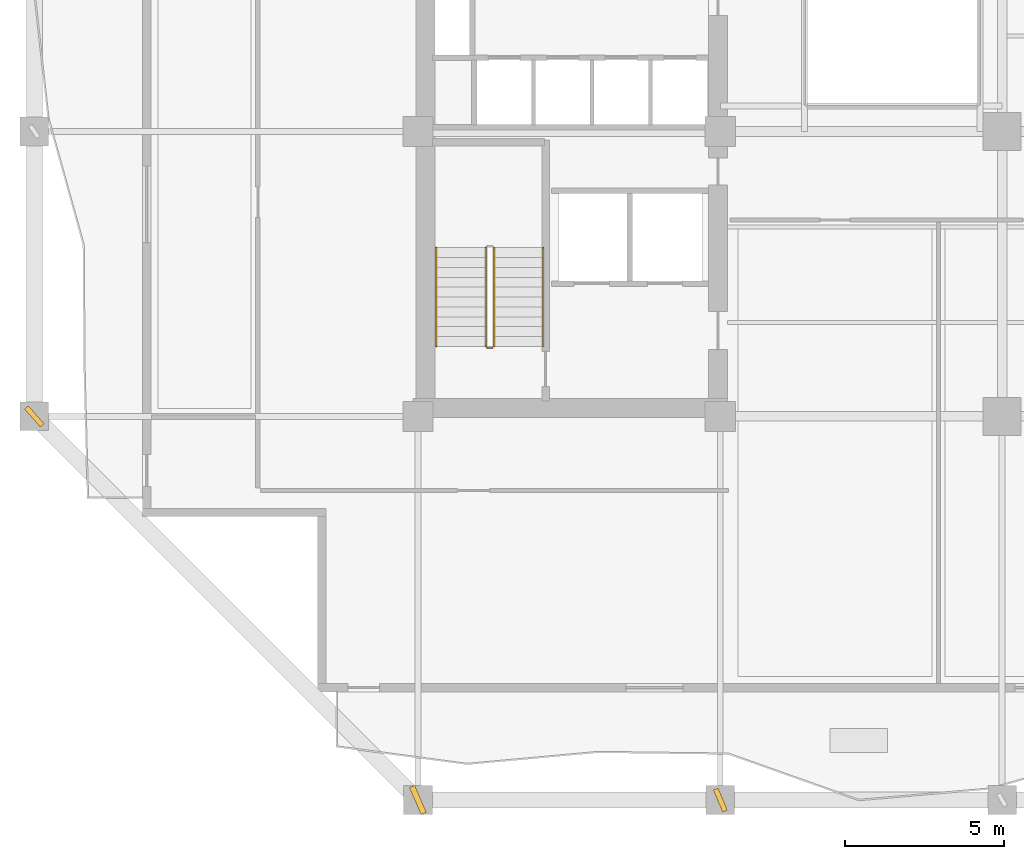
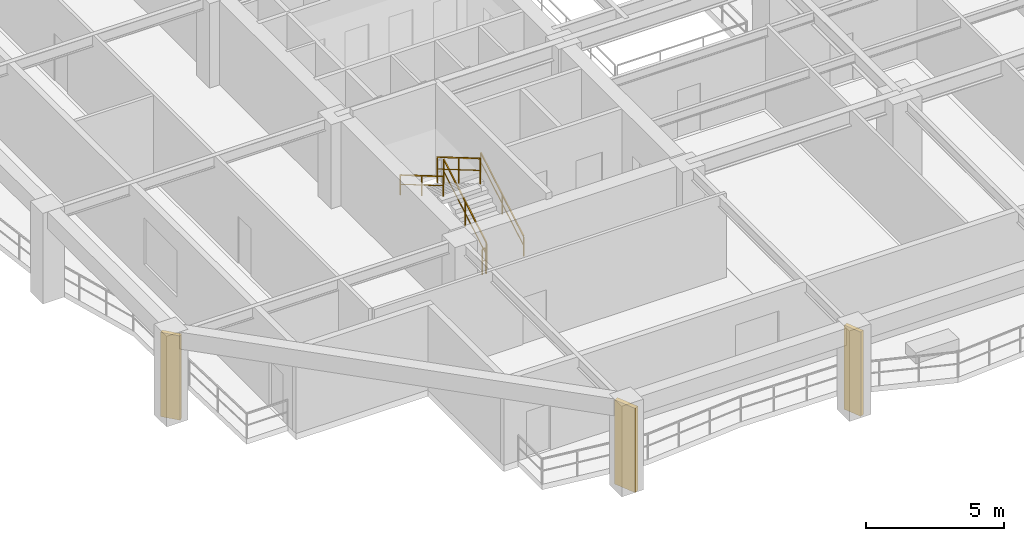
# One storey, part 6 of 12: 5 railings, 3 shading devices.
"""IFC4 building model written with IfcOpenShell, lengths in metres."""

from ifc_helpers import new_model, si_unit, direction, frame, origin, origin_2d, place, context, subcontext, project, spatial, rectangle, extrude, material, type_object, element, save


model = new_model("IFC4")

# Units and contexts
model_context = context("Model", 3, precision=1e-05, world=origin(), true_north=direction((0.0, 1.0)))
body_context = subcontext(model_context, "Body", "Model", "MODEL_VIEW")
ifc_project = project(units=[si_unit("LENGTHUNIT", "METRE"), si_unit("AREAUNIT", "SQUARE_METRE"), si_unit("VOLUMEUNIT", "CUBIC_METRE"), si_unit("PLANEANGLEUNIT", "RADIAN"), si_unit("MASSUNIT", "GRAM", prefix="KILO")], contexts=[model_context])

# Site, building, storey
site_placement = place(None, origin())
site = spatial("IfcSite", under=ifc_project, at=site_placement, CompositionType="ELEMENT")
building_placement = place(site_placement, origin())
building = spatial("IfcBuilding", under=site, at=building_placement, Name="Kundavana Baori Tower", CompositionType="ELEMENT")
storey_placement = place(building_placement, frame((0.0, 0.0, 42.0)))
storey = spatial("IfcBuildingStorey", under=building, at=storey_placement, Name="L09", CompositionType="ELEMENT", Elevation=42.0)

# Railings
ifc_material_1 = material(Name="Architectural Patinated Bronze Metalwork")
railing_type_1 = type_object("IfcRailingType", Name="RL-GRD-1150", PredefinedType="GUARDRAIL", material=ifc_material_1)
railing_1_placement = place(storey_placement, frame((17.840087890625, 17.449951171875, 0.181884765625)))
element("IfcRailing", 1, at=railing_1_placement, inside=storey, type_object=railing_type_1, Name="L09 ST1 stair guard 1", PredefinedType="GUARDRAIL", context=body_context, shape_type="SweptSolid", body=[
    extrude(rectangle(XDim=0.048095703125, YDim=0.048095703125, at=origin_2d()), frame((0.0, 0.0, 1.1259765625), z_axis=(0.0, 0.862598821094, 0.505888598258), x_axis=(-1.0, 0.0, 0.0)), (0.0, 0.0, 1.0), 3.593994140625),
    extrude(rectangle(XDim=0.03125, YDim=0.03125, at=origin_2d()), frame((0.0, 0.0, 0.597900390625), z_axis=(0.0, 0.862598821094, 0.505888598258), x_axis=(-1.0, 0.0, 0.0)), (0.0, 0.0, 1.0), 3.593994140625),
    extrude(rectangle(XDim=0.0419921875, YDim=0.0419921875, at=origin_2d()), origin(), (0.0, 0.0, 1.0), 1.101806640625),
    extrude(rectangle(XDim=0.0419921875, YDim=0.0419921875, at=origin_2d()), frame((0.0, 1.550048828125, 0.9091796875)), (0.0, 0.0, 1.0), 1.101806640625),
    extrude(rectangle(XDim=0.0419921875, YDim=0.0419921875, at=origin_2d()), frame((0.0, 3.10009765625, 1.818115234375)), (0.0, 0.0, 1.0), 1.101806640625),
])
railing_2_placement = place(storey_placement, frame((17.580078125, 20.550048828125, 2.181884765625)))
element("IfcRailing", 2, at=railing_2_placement, inside=storey, type_object=railing_type_1, Name="L09 ST1 stair guard 3", PredefinedType="GUARDRAIL", context=body_context, shape_type="SweptSolid", body=[
    extrude(rectangle(XDim=0.048095703125, YDim=0.048095703125, at=origin_2d()), frame((0.0, 0.0, 1.1259765625), z_axis=(0.0, -0.862598821094, 0.505888598258), x_axis=(1.0, 0.0, 0.0)), (0.0, 0.0, 1.0), 3.593994140625),
    extrude(rectangle(XDim=0.03125, YDim=0.03125, at=origin_2d()), frame((0.0, 0.0, 0.597900390625), z_axis=(0.0, -0.862598821094, 0.505888598258), x_axis=(1.0, 0.0, 0.0)), (0.0, 0.0, 1.0), 3.593994140625),
    extrude(rectangle(XDim=0.0419921875, YDim=0.0419921875, at=origin_2d()), origin(), (0.0, 0.0, 1.0), 1.101806640625),
    extrude(rectangle(XDim=0.0419921875, YDim=0.0419921875, at=origin_2d()), frame((0.0, -1.550048828125, 0.9091796875)), (0.0, 0.0, 1.0), 1.101806640625),
    extrude(rectangle(XDim=0.0419921875, YDim=0.0419921875, at=origin_2d()), frame((0.0, -3.10009765625, 1.818115234375)), (0.0, 0.0, 1.0), 1.101806640625),
])
railing_3_placement = place(storey_placement, frame((17.7900390625, 17.39990234375, 0.0)))
element("IfcRailing", 3, at=railing_3_placement, inside=storey, type_object=railing_type_1, Name="L09 ST1 stair guard 4", PredefinedType="GUARDRAIL", context=body_context, shape_type="SweptSolid", body=[
    extrude(rectangle(XDim=0.048095703125, YDim=0.048095703125, at=origin_2d()), frame((0.0, 0.0, 1.1259765625), z_axis=(-1.0, 0.0, 0.0), x_axis=(0.0, -1.0, 0.0)), (0.0, 0.0, 1.0), 0.16015625),
    extrude(rectangle(XDim=0.03125, YDim=0.03125, at=origin_2d()), frame((0.0, 0.0, 0.597900390625), z_axis=(-1.0, 0.0, 0.0), x_axis=(0.0, -1.0, 0.0)), (0.0, 0.0, 1.0), 0.16015625),
    extrude(rectangle(XDim=0.0419921875, YDim=0.0419921875, at=origin_2d()), origin(), (0.0, 0.0, 1.0), 1.101806640625),
    extrude(rectangle(XDim=0.0419921875, YDim=0.0419921875, at=origin_2d()), frame((-0.16015625, 0.0, 0.0)), (0.0, 0.0, 1.0), 1.101806640625),
])
ifc_material_2 = material(Name="Architectural Patinated Bronze Metalwork")
railing_type_2 = type_object("IfcRailingType", Name="RL-HND-920", PredefinedType="HANDRAIL", material=ifc_material_2)
railing_4_placement = place(storey_placement, frame((19.389892578125, 17.449951171875, 0.181884765625)))
element("IfcRailing", 4, at=railing_4_placement, inside=storey, type_object=railing_type_2, Name="L09 ST1 stair handrail 1", PredefinedType="HANDRAIL", context=body_context, shape_type="SweptSolid", body=[
    extrude(rectangle(XDim=0.048095703125, YDim=0.048095703125, at=origin_2d()), frame((0.0, 0.0, 0.8759765625), z_axis=(0.0, 0.862598821094, 0.505888598258), x_axis=(-1.0, 0.0, 0.0)), (0.0, 0.0, 1.0), 3.593994140625),
    extrude(rectangle(XDim=0.03125, YDim=0.03125, at=origin_2d()), frame((0.0, 0.0, 0.468017578125), z_axis=(0.0, 0.862598821094, 0.505888598258), x_axis=(-1.0, 0.0, 0.0)), (0.0, 0.0, 1.0), 3.593994140625),
    extrude(rectangle(XDim=0.0419921875, YDim=0.0419921875, at=origin_2d()), origin(), (0.0, 0.0, 1.0), 0.851806640625),
    extrude(rectangle(XDim=0.0419921875, YDim=0.0419921875, at=origin_2d()), frame((0.0, 1.550048828125, 0.9091796875)), (0.0, 0.0, 1.0), 0.851806640625),
    extrude(rectangle(XDim=0.0419921875, YDim=0.0419921875, at=origin_2d()), frame((0.0, 3.10009765625, 1.818115234375)), (0.0, 0.0, 1.0), 0.851806640625),
])
railing_5_placement = place(storey_placement, frame((16.030029296875, 20.550048828125, 2.181884765625)))
element("IfcRailing", 5, at=railing_5_placement, inside=storey, type_object=railing_type_2, Name="L09 ST1 stair handrail 2", PredefinedType="HANDRAIL", context=body_context, shape_type="SweptSolid", body=[
    extrude(rectangle(XDim=0.048095703125, YDim=0.048095703125, at=origin_2d()), frame((0.0, 0.0, 0.8759765625), z_axis=(0.0, -0.862598821094, 0.505888598258), x_axis=(1.0, 0.0, 0.0)), (0.0, 0.0, 1.0), 3.593994140625),
    extrude(rectangle(XDim=0.03125, YDim=0.03125, at=origin_2d()), frame((0.0, 0.0, 0.468017578125), z_axis=(0.0, -0.862598821094, 0.505888598258), x_axis=(1.0, 0.0, 0.0)), (0.0, 0.0, 1.0), 3.593994140625),
    extrude(rectangle(XDim=0.0419921875, YDim=0.0419921875, at=origin_2d()), origin(), (0.0, 0.0, 1.0), 0.851806640625),
    extrude(rectangle(XDim=0.0419921875, YDim=0.0419921875, at=origin_2d()), frame((0.0, -1.550048828125, 0.9091796875)), (0.0, 0.0, 1.0), 0.851806640625),
    extrude(rectangle(XDim=0.0419921875, YDim=0.0419921875, at=origin_2d()), frame((0.0, -3.10009765625, 1.818115234375)), (0.0, 0.0, 1.0), 0.851806640625),
])

# Shading devices
ifc_material_3 = material(Name="Red-Buff Dholpur Sandstone Cladding on Concrete C40/50", Category="masonry")
shading_device_type_1 = type_object("IfcShadingDeviceType", Name="SHD-FIN-750", PredefinedType="JALOUSIE", material=ifc_material_3)
for number, where, z_axis, x_axis, name in (
    (6, (24.949951171875, 3.199951171875, 0.0), (0.0, 0.0, 1.0), (0.920913521335, 0.389766963995, 0.0), "L09 Sweeping Dholpur Sandstone Facade Fin 2"),
    (7, (3.39990234375, 15.25, 0.0), (0.0, 0.0, 1.0), (0.748145618928, 0.663534575496, 0.0), "L09 Sweeping Dholpur Sandstone Facade Fin 5"),
):
    element("IfcShadingDevice", number, at=place(storey_placement, frame(where, z_axis=z_axis, x_axis=x_axis)), inside=storey, type_object=shading_device_type_1, Name=name, PredefinedType="JALOUSIE", context=body_context, shape_type="SweptSolid", body=[
        extrude(rectangle(XDim=0.159912109375, YDim=0.75, at=origin_2d()), origin(), (0.0, 0.0, 1.0), 3.719970703125),
    ])
ifc_material_4 = material(Name="Red-Buff Dholpur Sandstone Cladding on Concrete C40/50", Category="masonry")
shading_device_type_2 = type_object("IfcShadingDeviceType", Name="SHD-FIN-920", PredefinedType="JALOUSIE", material=ifc_material_4)
shading_device_placement = place(storey_placement, frame((15.449951171875, 3.199951171875, 0.0), z_axis=(0.0, 0.0, 1.0), x_axis=(0.91678147156, 0.39938920041, 0.0)))
element("IfcShadingDevice", 8, at=shading_device_placement, inside=storey, type_object=shading_device_type_2, Name="L09 Sweeping Dholpur Sandstone Facade Fin 1", PredefinedType="JALOUSIE", context=body_context, shape_type="SweptSolid", body=[
    extrude(rectangle(XDim=0.179931640625, YDim=0.919921875, at=origin_2d()), origin(), (0.0, 0.0, 1.0), 3.719970703125),
])

save(model, "model.ifc")
